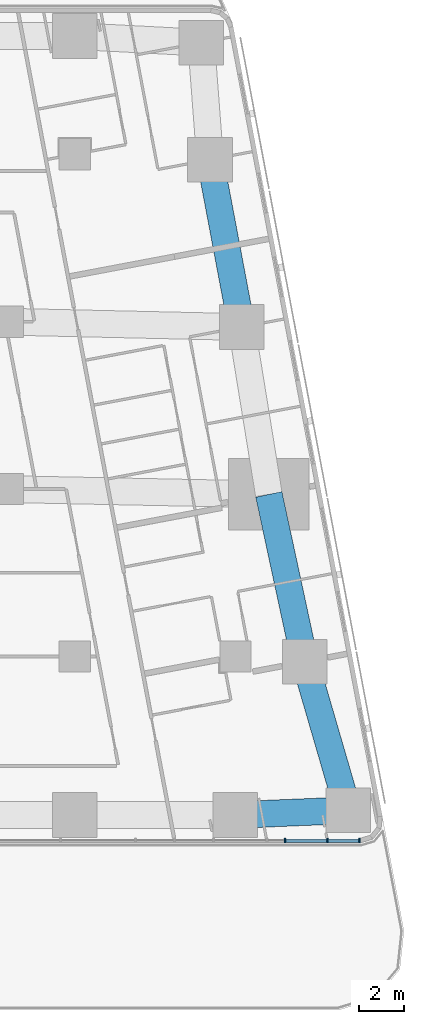
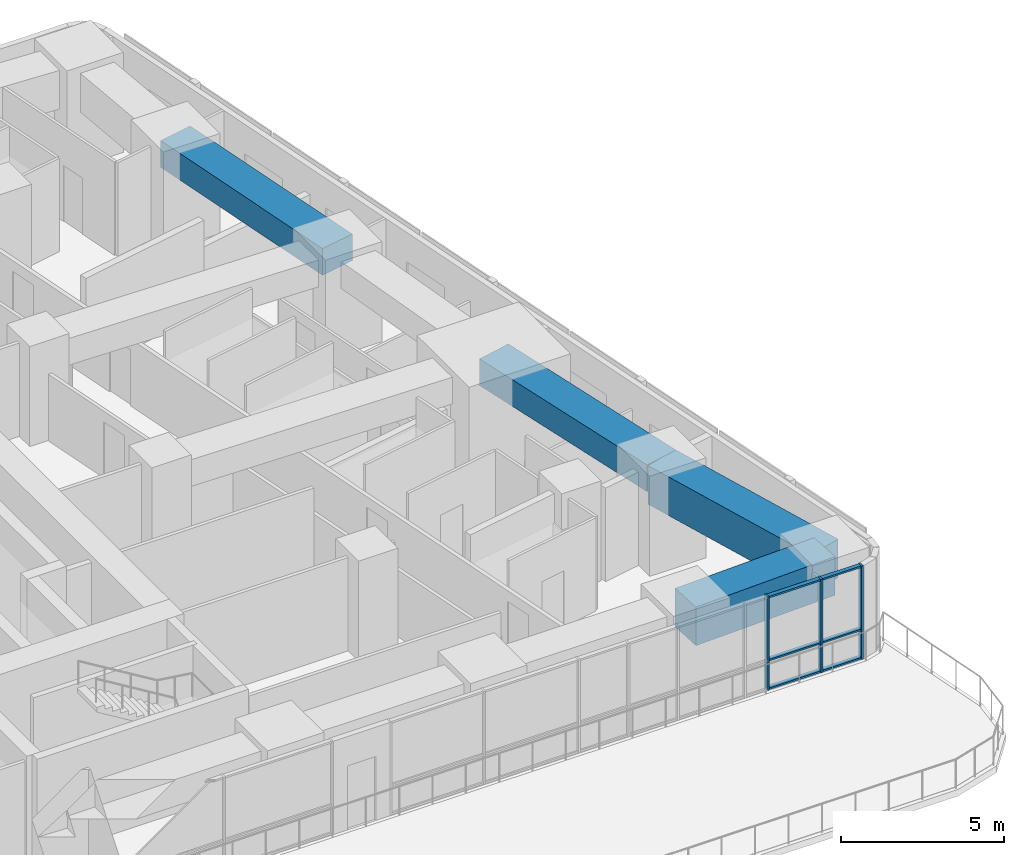
# One storey, part 3 of 12: 9 members, 4 beams, 1 element without a shape of its own.
"""IFC4 building model written with IfcOpenShell, lengths in metres."""

from ifc_helpers import new_model, si_unit, direction, frame, origin, origin_2d, place, context, subcontext, project, spatial, rectangle, extrude, material, material_profile, profile_set, type_object, element, aggregate, save


model = new_model("IFC4")

# Units and contexts
model_context = context("Model", 3, precision=1e-05, world=origin(), true_north=direction((0.0, 1.0)))
body_context = subcontext(model_context, "Body", "Model", "MODEL_VIEW")
ifc_project = project(units=[si_unit("LENGTHUNIT", "METRE"), si_unit("AREAUNIT", "SQUARE_METRE"), si_unit("VOLUMEUNIT", "CUBIC_METRE"), si_unit("PLANEANGLEUNIT", "RADIAN"), si_unit("MASSUNIT", "GRAM", prefix="KILO")], contexts=[model_context])

# Site, building, storey
site_placement = place(None, origin())
site = spatial("IfcSite", under=ifc_project, at=site_placement, CompositionType="ELEMENT")
building_placement = place(site_placement, origin())
building = spatial("IfcBuilding", under=site, at=building_placement, Name="Sheger Commons Tower", CompositionType="ELEMENT")
storey_placement = place(building_placement, frame((0.0, 0.0, 251.60009765625)))
storey = spatial("IfcBuildingStorey", under=building, at=storey_placement, Name="L64", CompositionType="ELEMENT", Elevation=251.60009765625)

# Curtain wall, members
ifc_material_1 = material(Name="Black aluminium curtain wall, dark tinted glazing", Category="aluminium")
curtain_wall_type = type_object("IfcCurtainWallType", Name="CURTAIN WALL CW5 SOUTH GALLERY", PredefinedType="USERDEFINED", material=ifc_material_1)
curtain_wall_placement = place(storey_placement, origin())
curtain_wall = element("IfcCurtainWall", 1, at=curtain_wall_placement, inside=storey, type_object=curtain_wall_type, Name="Curtain Wall Cw5 South Gallery S1 L64", ObjectType="UNITISED CURTAIN WALL", PredefinedType="USERDEFINED")
ifc_material_2 = material(Name="Black anodised aluminium", Category="aluminium")
ifc_material_profile_1 = material_profile(ifc_material_2, rectangle(XDim=0.199951171875, YDim=0.06494140625, at=origin_2d()), Name="AL 65x200")
ifc_profile_set_1 = profile_set([ifc_material_profile_1], Name="Black anodised aluminium")
member_type_1 = type_object("IfcMemberType", Name="MULLION AL 65x200", PredefinedType="MULLION", material=ifc_profile_set_1)
member_1_placement = place(storey_placement, frame((45.429931640625, 6.75, 0.0), z_axis=(0.0, 0.0, 1.0), x_axis=(0.0, 1.0, 0.0)))
member_1 = element("IfcMember", 2, at=member_1_placement, type_object=member_type_1, Name="CW5 mullion 7", PredefinedType="MULLION", context=body_context, shape_type="SweptSolid", body=[
    extrude(rectangle(XDim=0.199951171875, YDim=0.06494140625, at=origin_2d()), origin(), (0.0, 0.0, 1.0), 3.5),
])
member_2_placement = place(storey_placement, frame((47.319091796875, 6.75, 0.0), z_axis=(0.0, 0.0, 1.0), x_axis=(0.0, 1.0, 0.0)))
member_2 = element("IfcMember", 3, at=member_2_placement, type_object=member_type_1, Name="CW5 mullion 8", PredefinedType="MULLION", context=body_context, shape_type="SweptSolid", body=[
    extrude(rectangle(XDim=0.199951171875, YDim=0.06494140625, at=origin_2d()), origin(), (0.0, 0.0, 1.0), 3.5),
])
member_3_placement = place(storey_placement, frame((48.75439453125, 6.75, 0.0), z_axis=(0.0, 0.0, 1.0), x_axis=(0.0, 1.0, 0.0)))
member_3 = element("IfcMember", 4, at=member_3_placement, type_object=member_type_1, Name="CW5 mullion 9", PredefinedType="MULLION", context=body_context, shape_type="SweptSolid", body=[
    extrude(rectangle(XDim=0.199951171875, YDim=0.06494140625, at=origin_2d()), origin(), (0.0, 0.0, 1.0), 3.5),
])

# Beams
ifc_material_3 = material(Name="Concrete C50/60", Category="concrete")
ifc_material_profile_2 = material_profile(ifc_material_3, rectangle(XDim=1.199951171875, YDim=1.0, at=origin_2d()), Name="RC 1200x1000")
ifc_profile_set_2 = profile_set([ifc_material_profile_2], Name="Concrete C50/60")
beam_type_1 = type_object("IfcBeamType", Name="SPANDREL RC 1200x1000", PredefinedType="SPANDREL", material=ifc_profile_set_2)
beam_1_placement = place(storey_placement, frame((46.31396484375, 14.762939453125, 3.0), z_axis=(-0.210750229323, 0.977539943348, 0.0), x_axis=(-0.977539943348, -0.210750229323, 0.0)))
element("IfcBeam", 5, at=beam_1_placement, inside=storey, type_object=beam_type_1, Name="Beam E/C-E/D under L65", PredefinedType="SPANDREL", context=body_context, shape_type="SweptSolid", body=[
    extrude(rectangle(XDim=1.199951171875, YDim=1.0, at=origin_2d()), origin(), (0.0, 0.0, 1.0), 7.67236328125),
])
beam_2_placement = place(storey_placement, frame((43.47998046875, 29.762939453125, 3.0), z_axis=(-0.18552441405, 0.982639655108, 0.0), x_axis=(-0.982639655108, -0.18552441405, 0.0)))
element("IfcBeam", 6, at=beam_2_placement, inside=storey, type_object=beam_type_1, Name="Beam E/E-E/F under L65", PredefinedType="SPANDREL", context=body_context, shape_type="SweptSolid", body=[
    extrude(rectangle(XDim=1.199951171875, YDim=1.0, at=origin_2d()), origin(), (0.0, 0.0, 1.0), 7.632568359375),
])
ifc_material_4 = material(Name="Concrete C50/60", Category="concrete")
ifc_material_profile_3 = material_profile(ifc_material_4, rectangle(XDim=1.199951171875, YDim=1.449951171875, at=origin_2d()), Name="RC 1200x1450")
ifc_profile_set_3 = profile_set([ifc_material_profile_3], Name="Concrete C50/60")
beam_type_2 = type_object("IfcBeamType", Name="SPANDREL RC 1200x1450", PredefinedType="SPANDREL", material=ifc_profile_set_3)
beam_3_placement = place(storey_placement, frame((43.199951171875, 7.89990234375, 2.77490234375), z_axis=(0.999161374218, 0.040945674641, 0.0), x_axis=(-0.040945674641, 0.999161374218, 0.0)))
element("IfcBeam", 7, at=beam_3_placement, inside=storey, type_object=beam_type_2, Name="Beam 7/B-E/B under L65", PredefinedType="SPANDREL", context=body_context, shape_type="SweptSolid", body=[
    extrude(rectangle(XDim=1.199951171875, YDim=1.449951171875, at=origin_2d()), origin(), (0.0, 0.0, 1.0), 5.05615234375),
])
beam_4_placement = place(storey_placement, frame((48.251953125, 8.10693359375, 2.77490234375), z_axis=(-0.279555048455, 0.960129665662, 0.0), x_axis=(-0.960129665662, -0.279555048455, 0.0)))
element("IfcBeam", 8, at=beam_4_placement, inside=storey, type_object=beam_type_2, Name="Beam E/B-E/C under L65", PredefinedType="SPANDREL", context=body_context, shape_type="SweptSolid", body=[
    extrude(rectangle(XDim=1.199951171875, YDim=1.449951171875, at=origin_2d()), origin(), (0.0, 0.0, 1.0), 6.932373046875),
])

# Member
ifc_material_5 = material(Name="Black anodised aluminium", Category="aluminium")
ifc_material_profile_4 = material_profile(ifc_material_5, rectangle(XDim=0.14990234375, YDim=0.06494140625, at=origin_2d()), Name="AL 65x150")
ifc_profile_set_4 = profile_set([ifc_material_profile_4], Name="Black anodised aluminium")
member_type_2 = type_object("IfcMemberType", Name="TRANSOM AL 65x150", PredefinedType="USERDEFINED", material=ifc_profile_set_4)
member_4_placement = place(storey_placement, frame((45.46240234375, 6.75, 0.032470703125), z_axis=(1.0, 0.0, 0.0), x_axis=(0.0, 1.0, 0.0)))
member_4 = element("IfcMember", 9, at=member_4_placement, type_object=member_type_2, Name="CW5 transom 7.1", ObjectType="TRANSOM", PredefinedType="USERDEFINED", context=body_context, shape_type="SweptSolid", body=[
    extrude(rectangle(XDim=0.14990234375, YDim=0.06494140625, at=origin_2d()), origin(), (0.0, 0.0, 1.0), 1.82421875),
])

member_5_placement = place(storey_placement, frame((45.46240234375, 6.75, 1.099853515625), z_axis=(1.0, 0.0, 0.0), x_axis=(0.0, 1.0, 0.0)))
member_5 = element("IfcMember", 10, at=member_5_placement, type_object=member_type_2, Name="CW5 transom 7.2", ObjectType="TRANSOM", PredefinedType="USERDEFINED", context=body_context, shape_type="SweptSolid", body=[
    extrude(rectangle(XDim=0.14990234375, YDim=0.06494140625, at=origin_2d()), origin(), (0.0, 0.0, 1.0), 1.82421875),
])

member_6_placement = place(storey_placement, frame((45.46240234375, 6.75, 3.46728515625), z_axis=(1.0, 0.0, 0.0), x_axis=(0.0, 1.0, 0.0)))
member_6 = element("IfcMember", 11, at=member_6_placement, type_object=member_type_2, Name="CW5 transom 7.3", ObjectType="TRANSOM", PredefinedType="USERDEFINED", context=body_context, shape_type="SweptSolid", body=[
    extrude(rectangle(XDim=0.14990234375, YDim=0.06494140625, at=origin_2d()), origin(), (0.0, 0.0, 1.0), 1.82421875),
])

member_7_placement = place(storey_placement, frame((47.3515625, 6.75, 0.032470703125), z_axis=(1.0, 0.0, 0.0), x_axis=(0.0, 1.0, 0.0)))
member_7 = element("IfcMember", 12, at=member_7_placement, type_object=member_type_2, Name="CW5 transom 8.1", ObjectType="TRANSOM", PredefinedType="USERDEFINED", context=body_context, shape_type="SweptSolid", body=[
    extrude(rectangle(XDim=0.14990234375, YDim=0.06494140625, at=origin_2d()), origin(), (0.0, 0.0, 1.0), 1.370361328125),
])

member_8_placement = place(storey_placement, frame((47.3515625, 6.75, 1.099853515625), z_axis=(1.0, 0.0, 0.0), x_axis=(0.0, 1.0, 0.0)))
member_8 = element("IfcMember", 13, at=member_8_placement, type_object=member_type_2, Name="CW5 transom 8.2", ObjectType="TRANSOM", PredefinedType="USERDEFINED", context=body_context, shape_type="SweptSolid", body=[
    extrude(rectangle(XDim=0.14990234375, YDim=0.06494140625, at=origin_2d()), origin(), (0.0, 0.0, 1.0), 1.370361328125),
])

member_9_placement = place(storey_placement, frame((47.3515625, 6.75, 3.46728515625), z_axis=(1.0, 0.0, 0.0), x_axis=(0.0, 1.0, 0.0)))
member_9 = element("IfcMember", 14, at=member_9_placement, type_object=member_type_2, Name="CW5 transom 8.3", ObjectType="TRANSOM", PredefinedType="USERDEFINED", context=body_context, shape_type="SweptSolid", body=[
    extrude(rectangle(XDim=0.14990234375, YDim=0.06494140625, at=origin_2d()), origin(), (0.0, 0.0, 1.0), 1.370361328125),
])

aggregate(curtain_wall, [member_1, member_2, member_3, member_4, member_5, member_6, member_7, member_8, member_9])

save(model, "model.ifc")
